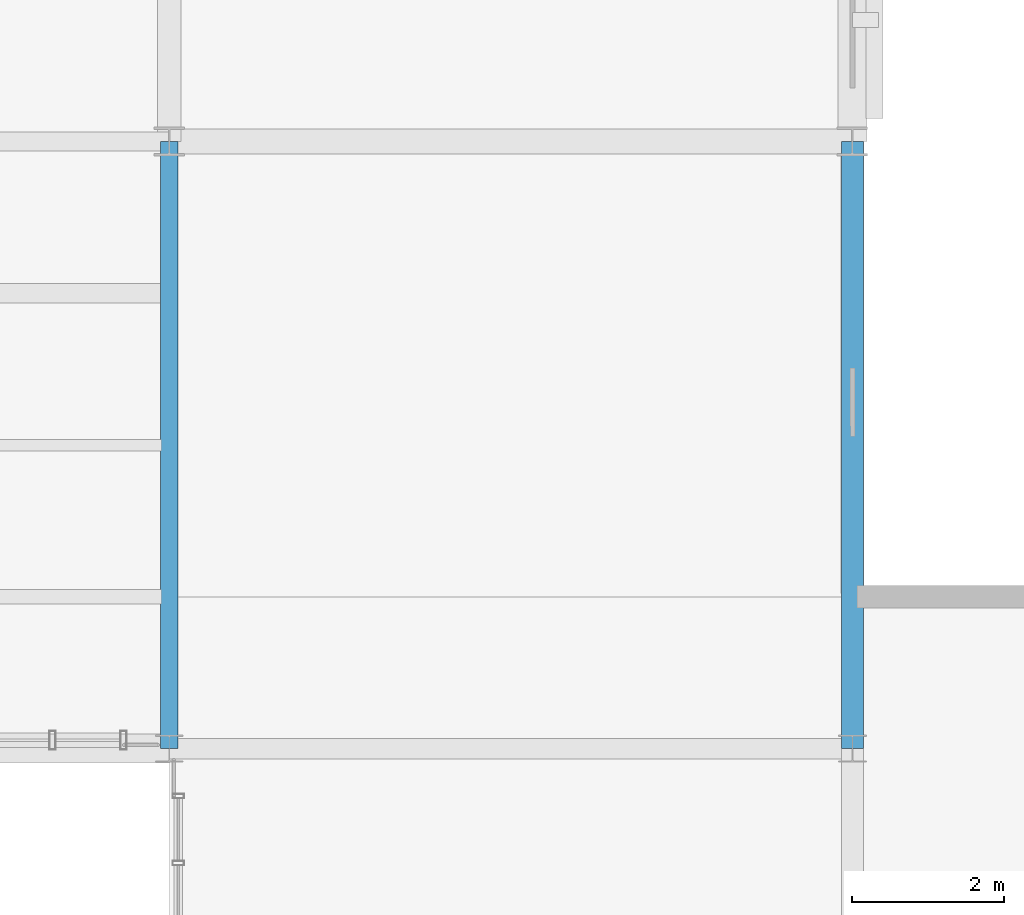
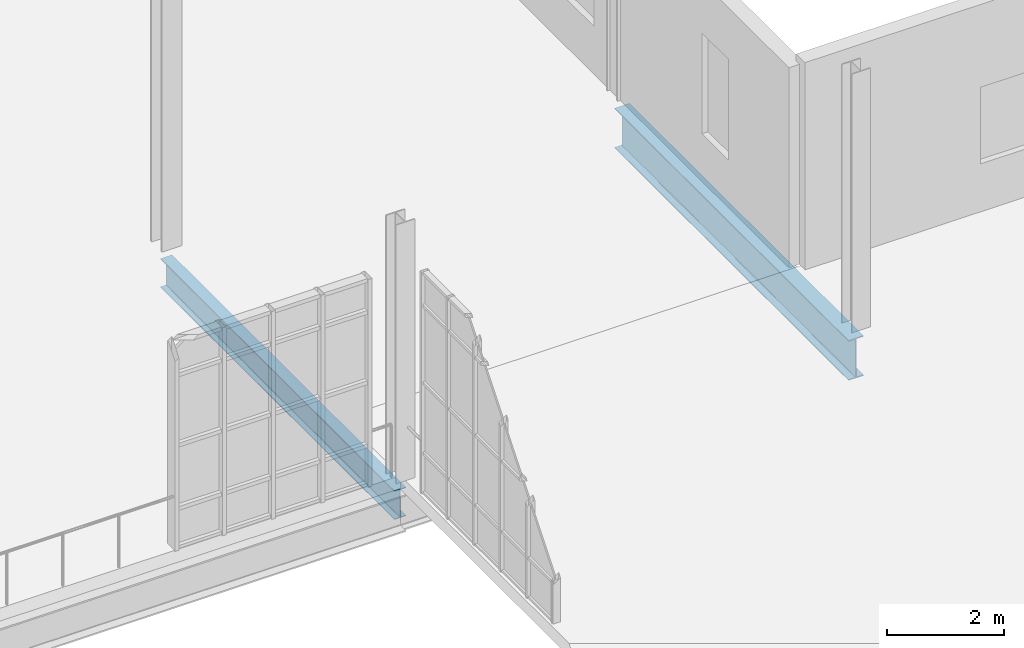
# One storey, part 56 of 142: 2 beams.
"""IFC4 building model written with IfcOpenShell, lengths in metres."""

from ifc_helpers import new_model, si_unit, direction, frame, origin, origin_2d, place, context, subcontext, project, spatial, i_section, extrude, material, material_profile, profile_set, type_object, element, save


model = new_model("IFC4")

# Units and contexts
model_context = context("Model", 3, precision=1e-05, world=origin(), true_north=direction((0.0, 1.0)))
body_context = subcontext(model_context, "Body", "Model", "MODEL_VIEW")
ifc_project = project(units=[si_unit("LENGTHUNIT", "METRE"), si_unit("AREAUNIT", "SQUARE_METRE"), si_unit("VOLUMEUNIT", "CUBIC_METRE"), si_unit("PLANEANGLEUNIT", "RADIAN"), si_unit("MASSUNIT", "GRAM", prefix="KILO"), si_unit("THERMODYNAMICTEMPERATUREUNIT", "KELVIN"), si_unit("POWERUNIT", "WATT")], contexts=[model_context])

# Site, building, storey
site_placement = place(None, origin())
site = spatial("IfcSite", under=ifc_project, at=site_placement, CompositionType="ELEMENT")
building_placement = place(site_placement, origin())
building = spatial("IfcBuilding", under=site, at=building_placement, Name="Zelmaris Science Centre", CompositionType="ELEMENT")
storey_placement = place(building_placement, frame((0.0, 0.0, 5.39990234375)))
storey = spatial("IfcBuildingStorey", under=building, at=storey_placement, Name="L01", CompositionType="ELEMENT", Elevation=5.39990234375)

# Beams
ifc_material = material(Name="Steel ASTM A992 Grade 50", Category="steel")
ifc_material_profile_1 = material_profile(ifc_material, i_section(OverallWidth=0.22900390625, OverallDepth=0.60205078125, WebThickness=0.010498046875, FlangeThickness=0.014892578125, FilletRadius=0.014892578125, at=origin_2d()), Name="W24X68")
ifc_profile_set_1 = profile_set([ifc_material_profile_1], Name="Steel ASTM A992 Grade 50")
beam_type_1 = type_object("IfcBeamType", Name="Beam G-17 W24X68", PredefinedType="BEAM", material=ifc_profile_set_1)
beam_1_placement = place(storey_placement, frame((99.0, 64.0, -0.580810546875), z_axis=(0.0, 1.0, 0.0), x_axis=(-1.0, 0.0, 0.0)))
element("IfcBeam", 1, at=beam_1_placement, inside=storey, type_object=beam_type_1, Name="L01 North-south girder 289", PredefinedType="BEAM", context=body_context, shape_type="SweptSolid", body=[
    extrude(i_section(OverallWidth=0.22900390625, OverallDepth=0.60205078125, WebThickness=0.010498046875, FlangeThickness=0.014892578125, FilletRadius=0.014892578125, at=origin_2d()), origin(), (0.0, 0.0, 1.0), 8.0),
])
ifc_material_profile_2 = material_profile(ifc_material, i_section(OverallWidth=0.2919921875, OverallDepth=0.8359375, WebThickness=0.013916015625, FlangeThickness=0.018798828125, FilletRadius=0.02001953125, at=origin_2d()), Name="W33X118")
ifc_profile_set_2 = profile_set([ifc_material_profile_2], Name="Steel ASTM A992 Grade 50")
beam_type_2 = type_object("IfcBeamType", Name="Beam G-30 W33X118", PredefinedType="BEAM", material=ifc_profile_set_2)
beam_2_placement = place(storey_placement, frame((108.0, 64.0, -0.697998046875), z_axis=(0.0, 1.0, 0.0), x_axis=(-1.0, 0.0, 0.0)))
element("IfcBeam", 2, at=beam_2_placement, inside=storey, type_object=beam_type_2, Name="L01 North-south girder 298", PredefinedType="BEAM", context=body_context, shape_type="SweptSolid", body=[
    extrude(i_section(OverallWidth=0.2919921875, OverallDepth=0.8359375, WebThickness=0.013916015625, FlangeThickness=0.018798828125, FilletRadius=0.02001953125, at=origin_2d()), origin(), (0.0, 0.0, 1.0), 8.0),
])

save(model, "model.ifc")
